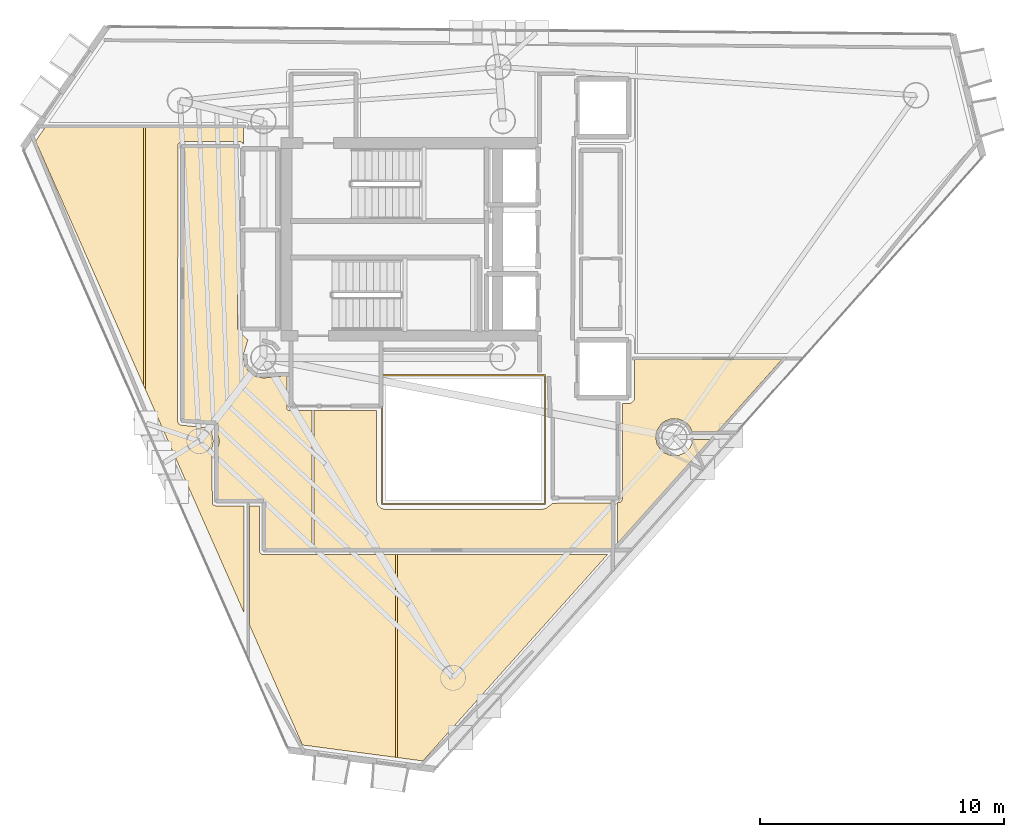
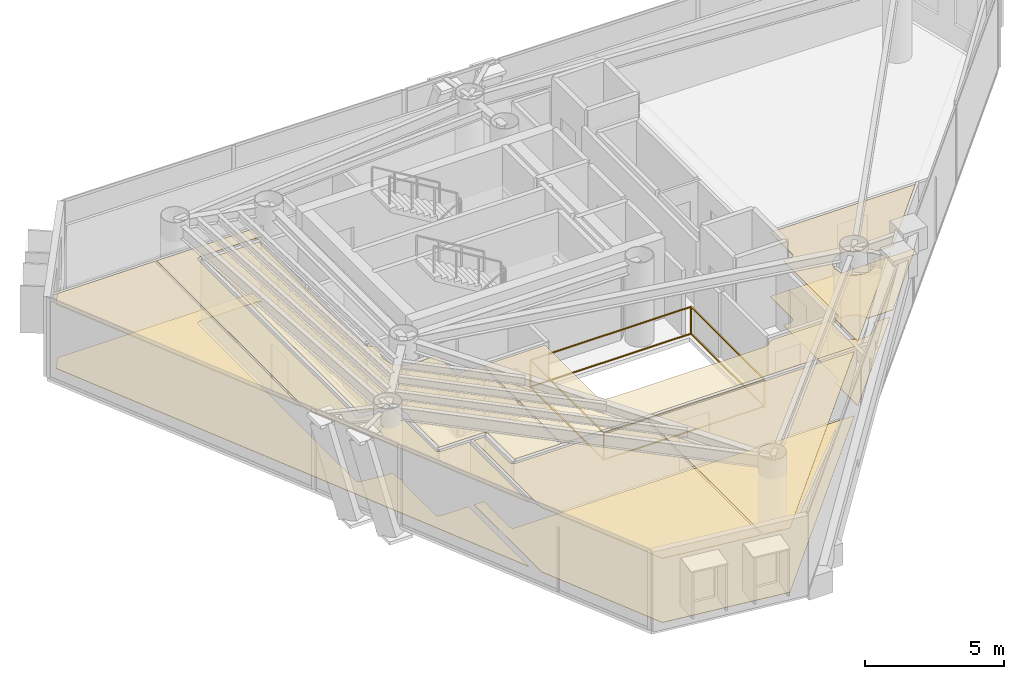
# One storey, part 19 of 21: 10 coverings, 1 railing.
"""IFC4 building model written with IfcOpenShell, lengths in metres."""

from ifc_helpers import new_model, si_unit, direction, frame, origin, origin_2d, place, context, subcontext, project, spatial, polyline, rectangle, outline, extrude, material, layer, layer_set, type_object, element, save


model = new_model("IFC4")

# Units and contexts
model_context = context("Model", 3, precision=1e-05, world=origin(), true_north=direction((0.0, 1.0)))
body_context = subcontext(model_context, "Body", "Model", "MODEL_VIEW")
ifc_project = project(units=[si_unit("LENGTHUNIT", "METRE"), si_unit("AREAUNIT", "SQUARE_METRE"), si_unit("VOLUMEUNIT", "CUBIC_METRE"), si_unit("PLANEANGLEUNIT", "RADIAN"), si_unit("MASSUNIT", "GRAM", prefix="KILO")], contexts=[model_context])

# Site, building, storey
site_placement = place(None, origin())
site = spatial("IfcSite", under=ifc_project, at=site_placement, CompositionType="ELEMENT")
building_placement = place(site_placement, origin())
building = spatial("IfcBuilding", under=site, at=building_placement, Name="Qianvela Tower", CompositionType="ELEMENT")
storey_placement = place(building_placement, frame((0.0, 0.0, 250.10009765625)))
storey = spatial("IfcBuildingStorey", under=building, at=storey_placement, Name="L64", CompositionType="ELEMENT", Elevation=250.10009765625)

# Coverings
ifc_material_1 = material(Name="Perforated Mineral Acoustic Ceiling Tile")
ifc_layer_1 = layer(ifc_material_1, 0.02490234375)
ifc_layer_set_1 = layer_set([ifc_layer_1], Name="Perforated Mineral Acoustic Ceiling Tile")
covering_type_1 = type_object("IfcCoveringType", Name="COV-CEIL-ACOUSTIC-25", PredefinedType="CEILING", material=ifc_layer_set_1)
covering_1_placement = place(storey_placement, frame((0.0, 0.0, 2.81494140625)))
element("IfcCovering", 1, at=covering_1_placement, inside=storey, type_object=covering_type_1, Name="L64 Acoustic Ceiling Bay 1 L64 Floor Corridor", PredefinedType="CEILING", context=body_context, shape_type="SweptSolid", body=[
    extrude(outline(polyline([(27.791015625, 24.010986328125), (27.789794921875, 24.003173828125), (27.775390625, 23.85791015625), (27.77490234375, 23.85009765625), (27.775390625, 23.84228515625), (27.776611328125, 23.83447265625), (27.833251953125, 23.54931640625), (27.835205078125, 23.541748046875), (27.837890625, 23.5341796875), (27.84130859375, 23.527099609375), (27.84521484375, 23.5205078125), (28.006591796875, 23.27880859375), (28.011474609375, 23.2724609375), (28.0166015625, 23.2666015625), (28.0224609375, 23.261474609375), (28.02880859375, 23.256591796875), (28.2705078125, 23.09521484375), (28.277099609375, 23.09130859375), (28.2841796875, 23.087890625), (28.291748046875, 23.085205078125), (28.29931640625, 23.083251953125), (28.58447265625, 23.026611328125), (28.59228515625, 23.025390625), (28.60009765625, 23.02490234375), (28.60791015625, 23.025390625), (29.55810546875, 23.118896484375), (29.55810546875, 21.780029296875), (29.558349609375, 21.772216796875), (29.5595703125, 21.764404296875), (29.561279296875, 21.7568359375), (29.564208984375, 21.74951171875), (29.5673828125, 21.7421875), (29.571533203125, 21.735595703125), (29.576171875, 21.729248046875), (29.581298828125, 21.723388671875), (29.587158203125, 21.71826171875), (29.593505859375, 21.71337890625), (29.600341796875, 21.70947265625), (29.607421875, 21.7060546875), (29.61474609375, 21.703369140625), (29.622314453125, 21.701416015625), (29.630126953125, 21.700439453125), (29.637939453125, 21.699951171875), (30.587890625, 21.699951171875), (30.587890625, 16.030029296875), (28.679931640625, 16.030029296875), (28.679931640625, 17.949951171875), (28.6796875, 17.957763671875), (28.678466796875, 17.965576171875), (28.676513671875, 17.97314453125), (28.673828125, 17.980712890625), (28.670654296875, 17.98779296875), (28.66650390625, 17.994384765625), (28.661865234375, 18.000732421875), (28.656494140625, 18.006591796875), (28.65087890625, 18.01171875), (28.644287109375, 18.0166015625), (28.6376953125, 18.0205078125), (28.630615234375, 18.02392578125), (28.623291015625, 18.026611328125), (28.615478515625, 18.028564453125), (28.60791015625, 18.029541015625), (28.60009765625, 18.030029296875), (26.72998046875, 18.030029296875), (26.72998046875, 20.123779296875), (26.795166015625, 20.419921875), (26.79638671875, 20.42822265625), (26.797119140625, 20.43701171875), (26.79638671875, 20.44580078125), (26.795166015625, 20.4541015625), (26.72998046875, 20.75), (26.72998046875, 21.14990234375), (26.7294921875, 21.15771484375), (26.728515625, 21.16552734375), (26.7265625, 21.173095703125), (26.723876953125, 21.1806640625), (26.720703125, 21.187744140625), (26.716552734375, 21.1943359375), (26.7119140625, 21.20068359375), (26.70654296875, 21.20654296875), (26.70068359375, 21.2119140625), (26.6943359375, 21.216552734375), (26.687744140625, 21.220703125), (26.6806640625, 21.223876953125), (26.673095703125, 21.2265625), (26.66552734375, 21.228515625), (26.65771484375, 21.2294921875), (26.64990234375, 21.22998046875), (26.18017578125, 21.22998046875), (25.330078125, 21.32470703125), (25.330078125, 32.469970703125), (27.5400390625, 32.469970703125), (27.5400390625, 25.066650390625), (27.540283203125, 25.05908203125), (27.54150390625, 25.051513671875), (27.543212890625, 25.044189453125), (27.545654296875, 25.037109375), (27.548583984375, 25.0302734375), (27.604736328125, 24.919921875), (27.6083984375, 24.91357421875), (27.612548828125, 24.90771484375), (27.6171875, 24.902099609375), (27.622314453125, 24.89697265625), (27.965087890625, 24.58642578125), (27.792724609375, 24.0185546875), (27.791015625, 24.010986328125)])), origin(), (0.0, 0.0, 1.0), 0.02490234375),
])
covering_2_placement = place(storey_placement, frame((0.0, 0.0, 2.81494140625)))
element("IfcCovering", 2, at=covering_2_placement, inside=storey, type_object=covering_type_1, Name="L64 Acoustic Ceiling Bay 2 L64 Floor Corridor", PredefinedType="CEILING", context=body_context, shape_type="SweptSolid", body=[
    extrude(outline(polyline([(33.239990234375, 21.699951171875), (33.239990234375, 18.0), (33.240478515625, 17.990234375), (33.242431640625, 17.980712890625), (33.275390625, 17.8486328125), (33.277587890625, 17.841796875), (33.2802734375, 17.8349609375), (33.283447265625, 17.82861328125), (33.287353515625, 17.822509765625), (33.29150390625, 17.81689453125), (33.29638671875, 17.811279296875), (33.411376953125, 17.696533203125), (33.41796875, 17.690673828125), (33.4248046875, 17.685791015625), (33.432373046875, 17.681396484375), (33.440185546875, 17.677978515625), (33.448486328125, 17.675537109375), (33.58056640625, 17.642333984375), (33.5869140625, 17.64111328125), (33.593505859375, 17.640380859375), (33.60009765625, 17.639892578125), (40.0, 17.639892578125), (40.006591796875, 17.640380859375), (40.012939453125, 17.64111328125), (40.019287109375, 17.642333984375), (40.1513671875, 17.675537109375), (40.15869140625, 17.677734375), (40.166015625, 17.6806640625), (40.172607421875, 17.68408203125), (40.17919921875, 17.6884765625), (40.459228515625, 17.89306640625), (42.86962890625, 17.89990234375), (42.863525390625, 16.030029296875), (30.66796875, 16.030029296875), (30.66796875, 21.699951171875), (33.239990234375, 21.699951171875)])), origin(), (0.0, 0.0, 1.0), 0.02490234375),
])
covering_3_placement = place(storey_placement, frame((0.0, 0.0, 2.81494140625)))
element("IfcCovering", 3, at=covering_3_placement, inside=storey, type_object=covering_type_1, Name="L64 Acoustic Ceiling Bay 1 Project Huddle Conference L64-01", PredefinedType="CEILING", context=body_context, shape_type="SweptSolid", body=[
    extrude(outline(polyline([(28.02197265625, 17.7900390625), (28.43994140625, 17.7900390625), (28.43994140625, 15.949951171875), (28.4404296875, 15.94091796875), (28.442138671875, 15.931884765625), (28.444580078125, 15.923095703125), (28.462890625, 15.872314453125), (28.465576171875, 15.865478515625), (28.468994140625, 15.85888671875), (28.472900390625, 15.852783203125), (28.4775390625, 15.846923828125), (28.482666015625, 15.841552734375), (28.48828125, 15.8369140625), (28.494140625, 15.83251953125), (28.50048828125, 15.82861328125), (28.554443359375, 15.7998046875), (28.5615234375, 15.79638671875), (28.56884765625, 15.793701171875), (28.57666015625, 15.7919921875), (28.584228515625, 15.790771484375), (28.59228515625, 15.790283203125), (34.017578125, 15.790283203125), (34.017578125, 7.484130859375), (30.20068359375, 7.98974609375), (28.02197265625, 12.92041015625), (28.02197265625, 17.7900390625)])), origin(), (0.0, 0.0, 1.0), 0.02490234375),
])
covering_4_placement = place(storey_placement, frame((0.0, 0.0, 2.81494140625)))
element("IfcCovering", 4, at=covering_4_placement, inside=storey, type_object=covering_type_1, Name="L64 Acoustic Ceiling Bay 2 Project Huddle Conference L64-01", PredefinedType="CEILING", context=body_context, shape_type="SweptSolid", body=[
    extrude(outline(polyline([(42.69287109375, 15.7900390625), (35.132568359375, 7.33642578125), (34.09765625, 7.473388671875), (34.09765625, 15.790283203125), (42.69287109375, 15.7900390625)])), origin(), (0.0, 0.0, 1.0), 0.02490234375),
])
covering_5_placement = place(storey_placement, frame((0.0, 0.0, 2.81494140625)))
element("IfcCovering", 5, at=covering_5_placement, inside=storey, type_object=covering_type_1, Name="L64 Acoustic Ceiling Debate Lecture Classroom L64-02", PredefinedType="CEILING", context=body_context, shape_type="SweptSolid", body=[
    extrude(outline(polyline([(43.298583984375, 18.038818359375), (43.302001953125, 18.045166015625), (43.304931640625, 18.0517578125), (43.30712890625, 18.05859375), (43.30859375, 18.065673828125), (43.309814453125, 18.07275390625), (43.31005859375, 18.080078125), (43.309326171875, 21.980712890625), (43.60791015625, 21.982666015625), (43.6162109375, 21.983154296875), (43.62451171875, 21.984619140625), (43.63232421875, 21.98681640625), (43.64013671875, 21.98974609375), (43.647705078125, 21.99365234375), (43.654541015625, 21.998046875), (43.660888671875, 22.00341796875), (43.767578125, 22.10009765625), (43.773681640625, 22.10595703125), (43.77880859375, 22.1123046875), (43.783203125, 22.119384765625), (43.787109375, 22.126708984375), (43.7900390625, 22.134521484375), (43.792236328125, 22.142578125), (43.79345703125, 22.15087890625), (43.7939453125, 22.1591796875), (43.7998046875, 23.778076171875), (49.836669921875, 23.778076171875), (47.20849609375, 20.83935546875), (46.153076171875, 20.836669921875), (46.0791015625, 21.010009765625), (46.07568359375, 21.016845703125), (46.072021484375, 21.023193359375), (46.0673828125, 21.029296875), (45.982177734375, 21.133056640625), (45.976806640625, 21.138916015625), (45.97119140625, 21.144287109375), (45.8671875, 21.2294921875), (45.861083984375, 21.234130859375), (45.854248046875, 21.238037109375), (45.84716796875, 21.241455078125), (45.600341796875, 21.34375), (45.593017578125, 21.346435546875), (45.585205078125, 21.348388671875), (45.577392578125, 21.349609375), (45.569580078125, 21.349853515625), (45.302490234375, 21.349853515625), (45.29443359375, 21.349609375), (45.286865234375, 21.348388671875), (45.279052734375, 21.346435546875), (45.271728515625, 21.34375), (45.02490234375, 21.241455078125), (45.017578125, 21.238037109375), (45.010986328125, 21.234130859375), (45.004638671875, 21.2294921875), (44.90087890625, 21.144287109375), (44.89501953125, 21.138916015625), (44.889892578125, 21.133056640625), (44.885009765625, 21.126708984375), (44.736572265625, 20.904541015625), (44.732666015625, 20.897705078125), (44.729248046875, 20.890869140625), (44.7265625, 20.88330078125), (44.6875, 20.7548828125), (44.685791015625, 20.747314453125), (44.6845703125, 20.739501953125), (44.67138671875, 20.605712890625), (44.6708984375, 20.597900390625), (44.67138671875, 20.590087890625), (44.672607421875, 20.58251953125), (44.724609375, 20.3203125), (44.7265625, 20.3125), (44.729248046875, 20.30517578125), (44.732666015625, 20.298095703125), (44.736572265625, 20.29150390625), (44.885009765625, 20.069091796875), (44.889892578125, 20.06298828125), (44.89501953125, 20.05712890625), (44.90087890625, 20.0517578125), (45.004638671875, 19.966552734375), (45.010986328125, 19.9619140625), (45.017578125, 19.9580078125), (45.02490234375, 19.95458984375), (45.271728515625, 19.852294921875), (45.279052734375, 19.849609375), (45.286865234375, 19.84765625), (45.29443359375, 19.846435546875), (45.302490234375, 19.84619140625), (45.569580078125, 19.84619140625), (45.577392578125, 19.846435546875), (45.585205078125, 19.84765625), (45.593017578125, 19.849609375), (45.600341796875, 19.852294921875), (45.84716796875, 19.95458984375), (45.854248046875, 19.9580078125), (45.861083984375, 19.9619140625), (45.8671875, 19.966552734375), (45.873046875, 19.971923828125), (46.06201171875, 20.160888671875), (46.0673828125, 20.166748046875), (46.072021484375, 20.173095703125), (46.076171875, 20.1796875), (46.139404296875, 20.298095703125), (46.142578125, 20.304931640625), (46.145263671875, 20.312255859375), (46.147216796875, 20.319580078125), (46.18408203125, 20.49658203125), (46.90380859375, 20.49853515625), (43.10400390625, 16.249755859375), (43.107177734375, 17.924560546875), (43.1923828125, 17.9296875), (43.2001953125, 17.930419921875), (43.207763671875, 17.931884765625), (43.215087890625, 17.934326171875), (43.222412109375, 17.937255859375), (43.229248046875, 17.94091796875), (43.235595703125, 17.9453125), (43.24169921875, 17.9501953125), (43.2470703125, 17.955810546875), (43.251953125, 17.9619140625), (43.25634765625, 17.96826171875), (43.298583984375, 18.038818359375)])), origin(), (0.0, 0.0, 1.0), 0.02490234375),
])
covering_6_placement = place(storey_placement, frame((0.0, 0.0, 2.81494140625)))
element("IfcCovering", 6, at=covering_6_placement, inside=storey, type_object=covering_type_1, Name="L64 Acoustic Ceiling Bay 1 Student Fitness Gym L64-03", PredefinedType="CEILING", context=body_context, shape_type="SweptSolid", body=[
    extrude(outline(polyline([(19.650146484375, 33.278076171875), (23.694091796875, 33.278076171875), (23.694091796875, 22.71435546875), (19.268798828125, 32.728759765625), (19.650146484375, 33.278076171875)])), origin(), (0.0, 0.0, 1.0), 0.02490234375),
])
covering_7_placement = place(storey_placement, frame((0.0, 0.0, 2.81494140625)))
element("IfcCovering", 7, at=covering_7_placement, inside=storey, type_object=covering_type_1, Name="L64 Acoustic Ceiling Bay 2 Student Fitness Gym L64-03", PredefinedType="CEILING", context=body_context, shape_type="SweptSolid", body=[
    extrude(outline(polyline([(27.778076171875, 33.278076171875), (27.778076171875, 32.610107421875), (27.7666015625, 32.610107421875), (27.74609375, 32.64599609375), (27.7421875, 32.65234375), (27.737548828125, 32.658447265625), (27.732421875, 32.663818359375), (27.726806640625, 32.6689453125), (27.720458984375, 32.67333984375), (27.714111328125, 32.67724609375), (27.707275390625, 32.680419921875), (27.650634765625, 32.703857421875), (27.643310546875, 32.70654296875), (27.635498046875, 32.70849609375), (27.627685546875, 32.709716796875), (27.6201171875, 32.7099609375), (25.25, 32.7099609375), (25.2421875, 32.709716796875), (25.234375, 32.70849609375), (25.226806640625, 32.70654296875), (25.219482421875, 32.703857421875), (25.21240234375, 32.70068359375), (25.20556640625, 32.696533203125), (25.19921875, 32.69189453125), (25.120849609375, 32.62744140625), (25.114990234375, 32.622314453125), (25.109619140625, 32.616455078125), (25.10498046875, 32.610107421875), (25.10107421875, 32.603271484375), (25.09765625, 32.59619140625), (25.094970703125, 32.5888671875), (25.093017578125, 32.581298828125), (25.091796875, 32.573486328125), (25.091552734375, 32.565673828125), (25.090087890625, 21.253173828125), (25.090576171875, 21.244140625), (25.092041015625, 21.235107421875), (25.094482421875, 21.226318359375), (25.112548828125, 21.176025390625), (25.115478515625, 21.168212890625), (25.11962890625, 21.160888671875), (25.124267578125, 21.154052734375), (25.129638671875, 21.147705078125), (25.1357421875, 21.14208984375), (25.142333984375, 21.136962890625), (25.1494140625, 21.132568359375), (25.202880859375, 21.103515625), (25.209716796875, 21.10009765625), (25.217041015625, 21.097412109375), (25.224609375, 21.09521484375), (25.232421875, 21.093994140625), (26.157958984375, 20.990966796875), (26.166748046875, 20.990478515625), (26.489990234375, 20.989990234375), (26.490478515625, 20.732666015625), (26.490966796875, 20.72412109375), (26.4921875, 20.715576171875), (26.55322265625, 20.436767578125), (26.49169921875, 20.1494140625), (26.490478515625, 20.140625), (26.489990234375, 20.132080078125), (26.50830078125, 17.898681640625), (26.508544921875, 17.890380859375), (26.510009765625, 17.88232421875), (26.51220703125, 17.87451171875), (26.514892578125, 17.866943359375), (26.5185546875, 17.859619140625), (26.52294921875, 17.852783203125), (26.528076171875, 17.846435546875), (26.53369140625, 17.840576171875), (26.5400390625, 17.835205078125), (26.546875, 17.830810546875), (26.553955078125, 17.826904296875), (26.61572265625, 17.797607421875), (26.6240234375, 17.79443359375), (26.632568359375, 17.7919921875), (26.64111328125, 17.79052734375), (26.64990234375, 17.7900390625), (27.800048828125, 17.7900390625), (27.800048828125, 13.4228515625), (23.774169921875, 22.533203125), (23.774169921875, 33.278076171875), (27.778076171875, 33.278076171875)])), origin(), (0.0, 0.0, 1.0), 0.02490234375),
])
ifc_material_2 = material(Name="Engineered Acoustic Oak Timber Flooring", Category="wood")
ifc_layer_2 = layer(ifc_material_2, 0.02001953125)
ifc_layer_set_2 = layer_set([ifc_layer_2], Name="Engineered Acoustic Oak Timber Flooring")
covering_type_2 = type_object("IfcCoveringType", Name="COV-FLOOR-OAK-20", PredefinedType="FLOORING", material=ifc_layer_set_2)
covering_8_placement = place(storey_placement, origin())
element("IfcCovering", 8, at=covering_8_placement, inside=storey, type_object=covering_type_2, Name="L64 Finish Flooring Project Huddle Conference L64-01", PredefinedType="FLOORING", context=body_context, shape_type="SweptSolid", body=[
    extrude(outline(polyline([(28.02197265625, 12.92041015625), (28.02197265625, 17.7900390625), (28.43994140625, 17.7900390625), (28.43994140625, 15.949951171875), (28.4404296875, 15.94091796875), (28.442138671875, 15.931884765625), (28.444580078125, 15.923095703125), (28.462890625, 15.872314453125), (28.465576171875, 15.865478515625), (28.468994140625, 15.85888671875), (28.472900390625, 15.852783203125), (28.4775390625, 15.846923828125), (28.482666015625, 15.841552734375), (28.48828125, 15.8369140625), (28.494140625, 15.83251953125), (28.50048828125, 15.82861328125), (28.554443359375, 15.7998046875), (28.5615234375, 15.79638671875), (28.56884765625, 15.793701171875), (28.57666015625, 15.7919921875), (28.584228515625, 15.790771484375), (28.59228515625, 15.790283203125), (42.69287109375, 15.7900390625), (35.132568359375, 7.33642578125), (30.20068359375, 7.98974609375), (28.02197265625, 12.92041015625)])), origin(), (0.0, 0.0, 1.0), 0.02001953125),
])
covering_9_placement = place(storey_placement, origin())
element("IfcCovering", 9, at=covering_9_placement, inside=storey, type_object=covering_type_2, Name="L64 Finish Flooring Debate Lecture Classroom L64-02", PredefinedType="FLOORING", context=body_context, shape_type="SweptSolid", body=[
    extrude(outline(polyline([(43.298583984375, 18.038818359375), (43.302001953125, 18.045166015625), (43.304931640625, 18.0517578125), (43.30712890625, 18.05859375), (43.30859375, 18.065673828125), (43.309814453125, 18.07275390625), (43.31005859375, 18.080078125), (43.309326171875, 21.980712890625), (43.60791015625, 21.982666015625), (43.6162109375, 21.983154296875), (43.62451171875, 21.984619140625), (43.63232421875, 21.98681640625), (43.64013671875, 21.98974609375), (43.647705078125, 21.99365234375), (43.654541015625, 21.998046875), (43.660888671875, 22.00341796875), (43.767578125, 22.10009765625), (43.773681640625, 22.10595703125), (43.77880859375, 22.1123046875), (43.783203125, 22.119384765625), (43.787109375, 22.126708984375), (43.7900390625, 22.134521484375), (43.792236328125, 22.142578125), (43.79345703125, 22.15087890625), (43.7939453125, 22.1591796875), (43.7998046875, 23.778076171875), (49.836669921875, 23.778076171875), (47.20849609375, 20.83935546875), (46.153076171875, 20.836669921875), (46.0791015625, 21.010009765625), (46.07568359375, 21.016845703125), (46.072021484375, 21.023193359375), (46.0673828125, 21.029296875), (45.982177734375, 21.133056640625), (45.976806640625, 21.138916015625), (45.97119140625, 21.144287109375), (45.8671875, 21.2294921875), (45.861083984375, 21.234130859375), (45.854248046875, 21.238037109375), (45.84716796875, 21.241455078125), (45.600341796875, 21.34375), (45.593017578125, 21.346435546875), (45.585205078125, 21.348388671875), (45.577392578125, 21.349609375), (45.569580078125, 21.349853515625), (45.302490234375, 21.349853515625), (45.29443359375, 21.349609375), (45.286865234375, 21.348388671875), (45.279052734375, 21.346435546875), (45.271728515625, 21.34375), (45.02490234375, 21.241455078125), (45.017578125, 21.238037109375), (45.010986328125, 21.234130859375), (45.004638671875, 21.2294921875), (44.90087890625, 21.144287109375), (44.89501953125, 21.138916015625), (44.889892578125, 21.133056640625), (44.885009765625, 21.126708984375), (44.736572265625, 20.904541015625), (44.732666015625, 20.897705078125), (44.729248046875, 20.890869140625), (44.7265625, 20.88330078125), (44.6875, 20.7548828125), (44.685791015625, 20.747314453125), (44.6845703125, 20.739501953125), (44.67138671875, 20.605712890625), (44.6708984375, 20.597900390625), (44.67138671875, 20.590087890625), (44.672607421875, 20.58251953125), (44.724609375, 20.3203125), (44.7265625, 20.3125), (44.729248046875, 20.30517578125), (44.732666015625, 20.298095703125), (44.736572265625, 20.29150390625), (44.885009765625, 20.069091796875), (44.889892578125, 20.06298828125), (44.89501953125, 20.05712890625), (44.90087890625, 20.0517578125), (45.004638671875, 19.966552734375), (45.010986328125, 19.9619140625), (45.017578125, 19.9580078125), (45.02490234375, 19.95458984375), (45.271728515625, 19.852294921875), (45.279052734375, 19.849609375), (45.286865234375, 19.84765625), (45.29443359375, 19.846435546875), (45.302490234375, 19.84619140625), (45.569580078125, 19.84619140625), (45.577392578125, 19.846435546875), (45.585205078125, 19.84765625), (45.593017578125, 19.849609375), (45.600341796875, 19.852294921875), (45.84716796875, 19.95458984375), (45.854248046875, 19.9580078125), (45.861083984375, 19.9619140625), (45.8671875, 19.966552734375), (45.873046875, 19.971923828125), (46.06201171875, 20.160888671875), (46.0673828125, 20.166748046875), (46.072021484375, 20.173095703125), (46.076171875, 20.1796875), (46.139404296875, 20.298095703125), (46.142578125, 20.304931640625), (46.145263671875, 20.312255859375), (46.147216796875, 20.319580078125), (46.18408203125, 20.49658203125), (46.90380859375, 20.49853515625), (43.10400390625, 16.249755859375), (43.107177734375, 17.924560546875), (43.1923828125, 17.9296875), (43.2001953125, 17.930419921875), (43.207763671875, 17.931884765625), (43.215087890625, 17.934326171875), (43.222412109375, 17.937255859375), (43.229248046875, 17.94091796875), (43.235595703125, 17.9453125), (43.24169921875, 17.9501953125), (43.2470703125, 17.955810546875), (43.251953125, 17.9619140625), (43.25634765625, 17.96826171875), (43.298583984375, 18.038818359375)])), origin(), (0.0, 0.0, 1.0), 0.02001953125),
])
covering_10_placement = place(storey_placement, origin())
element("IfcCovering", 10, at=covering_10_placement, inside=storey, type_object=covering_type_2, Name="L64 Finish Flooring Student Fitness Gym L64-03", PredefinedType="FLOORING", context=body_context, shape_type="SweptSolid", body=[
    extrude(outline(polyline([(19.268798828125, 32.728759765625), (19.650146484375, 33.278076171875), (27.778076171875, 33.278076171875), (27.778076171875, 32.610107421875), (27.7666015625, 32.610107421875), (27.74609375, 32.64599609375), (27.7421875, 32.65234375), (27.737548828125, 32.658447265625), (27.732421875, 32.663818359375), (27.726806640625, 32.6689453125), (27.720458984375, 32.67333984375), (27.714111328125, 32.67724609375), (27.707275390625, 32.680419921875), (27.650634765625, 32.703857421875), (27.643310546875, 32.70654296875), (27.635498046875, 32.70849609375), (27.627685546875, 32.709716796875), (27.6201171875, 32.7099609375), (25.25, 32.7099609375), (25.2421875, 32.709716796875), (25.234375, 32.70849609375), (25.226806640625, 32.70654296875), (25.219482421875, 32.703857421875), (25.21240234375, 32.70068359375), (25.20556640625, 32.696533203125), (25.19921875, 32.69189453125), (25.120849609375, 32.62744140625), (25.114990234375, 32.622314453125), (25.109619140625, 32.616455078125), (25.10498046875, 32.610107421875), (25.10107421875, 32.603271484375), (25.09765625, 32.59619140625), (25.094970703125, 32.5888671875), (25.093017578125, 32.581298828125), (25.091796875, 32.573486328125), (25.091552734375, 32.565673828125), (25.090087890625, 21.253173828125), (25.090576171875, 21.244140625), (25.092041015625, 21.235107421875), (25.094482421875, 21.226318359375), (25.112548828125, 21.176025390625), (25.115478515625, 21.168212890625), (25.11962890625, 21.160888671875), (25.124267578125, 21.154052734375), (25.129638671875, 21.147705078125), (25.1357421875, 21.14208984375), (25.142333984375, 21.136962890625), (25.1494140625, 21.132568359375), (25.202880859375, 21.103515625), (25.209716796875, 21.10009765625), (25.217041015625, 21.097412109375), (25.224609375, 21.09521484375), (25.232421875, 21.093994140625), (26.157958984375, 20.990966796875), (26.166748046875, 20.990478515625), (26.489990234375, 20.989990234375), (26.490478515625, 20.732666015625), (26.490966796875, 20.72412109375), (26.4921875, 20.715576171875), (26.55322265625, 20.436767578125), (26.49169921875, 20.1494140625), (26.490478515625, 20.140625), (26.489990234375, 20.132080078125), (26.50830078125, 17.898681640625), (26.508544921875, 17.890380859375), (26.510009765625, 17.88232421875), (26.51220703125, 17.87451171875), (26.514892578125, 17.866943359375), (26.5185546875, 17.859619140625), (26.52294921875, 17.852783203125), (26.528076171875, 17.846435546875), (26.53369140625, 17.840576171875), (26.5400390625, 17.835205078125), (26.546875, 17.830810546875), (26.553955078125, 17.826904296875), (26.61572265625, 17.797607421875), (26.6240234375, 17.79443359375), (26.632568359375, 17.7919921875), (26.64111328125, 17.79052734375), (26.64990234375, 17.7900390625), (27.800048828125, 17.7900390625), (27.800048828125, 13.4228515625), (19.268798828125, 32.728759765625)])), origin(), (0.0, 0.0, 1.0), 0.02001953125),
])

# Railing
ifc_material_3 = material(Name="Laminated Safety Glass and Stainless Steel 316", Category="steel")
railing_type = type_object("IfcRailingType", Name="RL-ATRIUM-GUARD-1250", PredefinedType="GUARDRAIL", material=ifc_material_3)
railing_placement = place(storey_placement, frame((33.4599609375, 17.860107421875, 0.0)))
element("IfcRailing", 11, at=railing_placement, inside=storey, type_object=railing_type, Name="L64 Atrium Edge Guardrail 1", PredefinedType="GUARDRAIL", context=body_context, shape_type="SweptSolid", body=[
    extrude(rectangle(XDim=0.050048828125, YDim=0.0400390625, at=origin_2d()), frame((0.0, 0.0, 1.22998046875), z_axis=(0.0, 1.0, 0.0), x_axis=(-1.0, 0.0, 0.0)), (0.0, 0.0, 1.0), 5.27978515625),
    extrude(rectangle(XDim=0.050048828125, YDim=0.0400390625, at=origin_2d()), frame((0.0, 0.0, 0.050048828125), z_axis=(0.0, 1.0, 0.0), x_axis=(-1.0, 0.0, 0.0)), (0.0, 0.0, 1.0), 5.27978515625),
    extrude(rectangle(XDim=0.050048828125, YDim=0.0400390625, at=origin_2d()), frame((0.0, 5.27978515625, 1.22998046875), z_axis=(1.0, 0.0, 0.0), x_axis=(0.0, 1.0, 0.0)), (0.0, 0.0, 1.0), 6.679931640625),
    extrude(rectangle(XDim=0.050048828125, YDim=0.0400390625, at=origin_2d()), frame((0.0, 5.27978515625, 0.050048828125), z_axis=(1.0, 0.0, 0.0), x_axis=(0.0, 1.0, 0.0)), (0.0, 0.0, 1.0), 6.679931640625),
    extrude(rectangle(XDim=0.050048828125, YDim=0.0400390625, at=origin_2d()), frame((6.679931640625, 5.27978515625, 1.22998046875), z_axis=(0.0, -1.0, 0.0), x_axis=(1.0, 0.0, 0.0)), (0.0, 0.0, 1.0), 5.27978515625),
    extrude(rectangle(XDim=0.050048828125, YDim=0.0400390625, at=origin_2d()), frame((6.679931640625, 5.27978515625, 0.050048828125), z_axis=(0.0, -1.0, 0.0), x_axis=(1.0, 0.0, 0.0)), (0.0, 0.0, 1.0), 5.27978515625),
    extrude(rectangle(XDim=0.050048828125, YDim=0.0400390625, at=origin_2d()), frame((6.679931640625, 0.0, 1.22998046875), z_axis=(-1.0, 0.0, 0.0), x_axis=(0.0, -1.0, 0.0)), (0.0, 0.0, 1.0), 6.679931640625),
    extrude(rectangle(XDim=0.050048828125, YDim=0.0400390625, at=origin_2d()), frame((6.679931640625, 0.0, 0.050048828125), z_axis=(-1.0, 0.0, 0.0), x_axis=(0.0, -1.0, 0.0)), (0.0, 0.0, 1.0), 6.679931640625),
    extrude(rectangle(XDim=0.050048828125, YDim=0.050048828125, at=origin_2d()), origin(), (0.0, 0.0, 1.0), 1.2099609375),
    extrude(rectangle(XDim=0.050048828125, YDim=0.050048828125, at=origin_2d()), frame((0.0, 5.27978515625, 0.0)), (0.0, 0.0, 1.0), 1.2099609375),
    extrude(rectangle(XDim=0.050048828125, YDim=0.050048828125, at=origin_2d()), frame((6.679931640625, 5.27978515625, 0.0)), (0.0, 0.0, 1.0), 1.2099609375),
    extrude(rectangle(XDim=0.050048828125, YDim=0.050048828125, at=origin_2d()), frame((6.679931640625, 0.0, 0.0)), (0.0, 0.0, 1.0), 1.2099609375),
])

save(model, "model.ifc")
